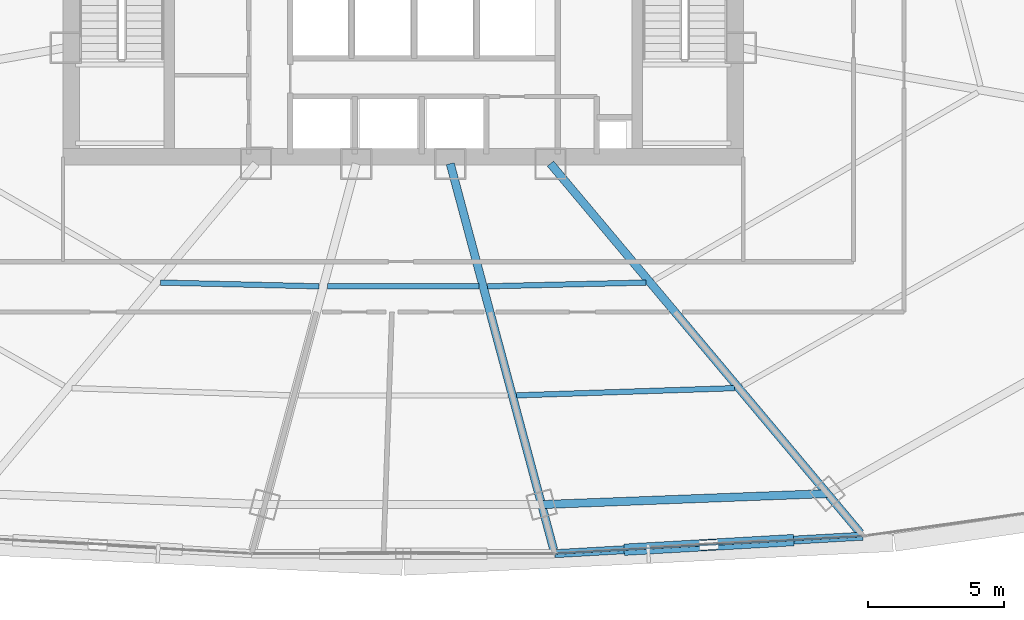
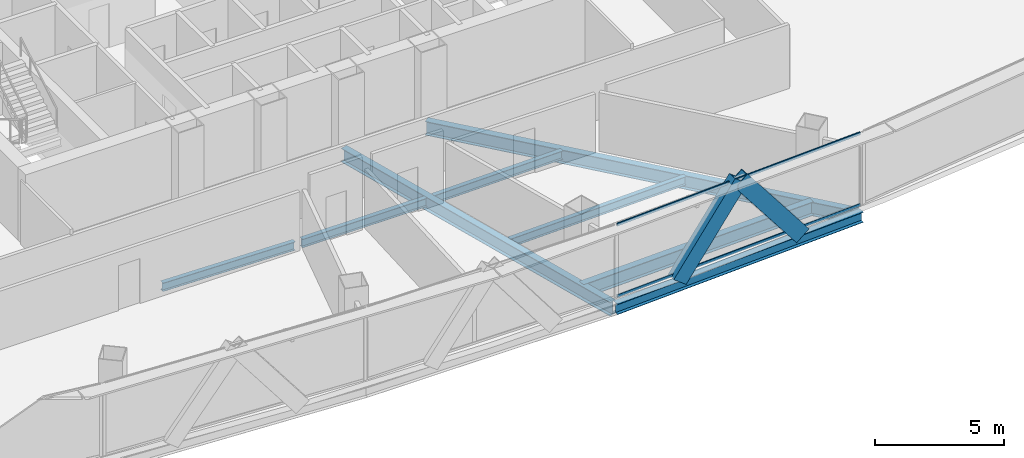
# One storey, part 13 of 42: 8 beams, 4 members, 1 element without a shape of its own.
"""IFC4 building model written with IfcOpenShell, lengths in metres."""

from ifc_helpers import new_model, si_unit, direction, frame, origin, origin_2d, place, context, subcontext, project, spatial, hollow_rectangle, i_section, extrude, source, transform, mapped, material, layer, layer_set, material_profile, profile_set, type_object, element, aggregate, save


model = new_model("IFC4")

# Units and contexts
model_context = context("Model", 3, precision=1e-05, world=origin(), true_north=direction((0.0, 1.0)))
body_context = subcontext(model_context, "Body", "Model", "MODEL_VIEW")
ifc_project = project(units=[si_unit("LENGTHUNIT", "METRE"), si_unit("AREAUNIT", "SQUARE_METRE"), si_unit("VOLUMEUNIT", "CUBIC_METRE"), si_unit("PLANEANGLEUNIT", "RADIAN"), si_unit("MASSUNIT", "GRAM", prefix="KILO"), si_unit("THERMODYNAMICTEMPERATUREUNIT", "KELVIN"), si_unit("POWERUNIT", "WATT")], contexts=[model_context])

# Site, building, storey
site_placement = place(None, origin())
site = spatial("IfcSite", under=ifc_project, at=site_placement, CompositionType="ELEMENT")
building_placement = place(site_placement, origin())
building = spatial("IfcBuilding", under=site, at=building_placement, Name="Yunzhuo Pagoda Commons", CompositionType="ELEMENT")
storey_placement = place(building_placement, frame((0.0, 0.0, 133.510009765625)))
storey = spatial("IfcBuildingStorey", under=building, at=storey_placement, Name="L33", CompositionType="ELEMENT", Elevation=133.510009765625)

# Beams
ifc_material_1 = material(Name="Structural steel Q355B", Category="steel")
ifc_material_profile_1 = material_profile(ifc_material_1, i_section(OverallWidth=0.300048828125, OverallDepth=0.488037109375, WebThickness=0.010986328125, FlangeThickness=0.01806640625, at=origin_2d()), Name="Structural steel Q355B")
ifc_profile_set_1 = profile_set([ifc_material_profile_1], Name="Structural steel Q355B")
beam_type_1 = type_object("IfcBeamType", Name="B-SP1 Beam HM 488x300x11x18", PredefinedType="BEAM", material=ifc_profile_set_1)
shared_shape_1 = source(origin(), body_context, "Body", "SweptSolid", [
    extrude(i_section(OverallWidth=0.300048828125, OverallDepth=0.488037109375, WebThickness=0.010986328125, FlangeThickness=0.01806640625, at=origin_2d()), origin(), (0.0, 0.0, 1.0), 11.34765625),
])
beam_1_placement = place(storey_placement, frame((53.56884765625, 12.917724609375, -0.503662109375), z_axis=(0.998390534012, 0.056712799217, 0.0), x_axis=(-0.056712799217, 0.998390534012, 0.0)))
element("IfcBeam", 1, at=beam_1_placement, inside=storey, type_object=beam_type_1, Name="L33 facade edge spandrel beam F1.3", PredefinedType="BEAM", context=body_context, shape_type="MappedRepresentation", body=[
    mapped(shared_shape_1, transform((0.0, 0.0, 0.0), scale=1.0)),
])
ifc_material_profile_2 = material_profile(ifc_material_1, i_section(OverallWidth=0.300048828125, OverallDepth=0.64990234375, WebThickness=0.012939453125, FlangeThickness=0.02197265625, at=origin_2d()), Name="Structural steel Q355B")
ifc_profile_set_2 = profile_set([ifc_material_profile_2], Name="Structural steel Q355B")
beam_type_2 = type_object("IfcBeamType", Name="B-RG2 Beam HN 650x300x13x22", PredefinedType="BEAM", material=ifc_profile_set_2)
shared_shape_2 = source(origin(), body_context, "Body", "SweptSolid", [
    extrude(i_section(OverallWidth=0.300048828125, OverallDepth=0.64990234375, WebThickness=0.012939453125, FlangeThickness=0.02197265625, at=origin_2d()), origin(), (0.0, 0.0, 1.0), 17.714111328125),
])
beam_2_placement = place(storey_placement, frame((64.798583984375, 13.68017578125, -0.5849609375), z_axis=(-0.6427889385, 0.76604332811, 0.0), x_axis=(-0.76604332811, -0.6427889385, 0.0)))
element("IfcBeam", 2, at=beam_2_placement, inside=storey, type_object=beam_type_2, Name="L33 radial floor girder F1C4", PredefinedType="BEAM", context=body_context, shape_type="MappedRepresentation", body=[
    mapped(shared_shape_2, transform((0.0, 0.0, 0.0), scale=1.0)),
])
shared_shape_3 = source(origin(), body_context, "Body", "SweptSolid", [
    extrude(i_section(OverallWidth=0.300048828125, OverallDepth=0.64990234375, WebThickness=0.012939453125, FlangeThickness=0.02197265625, at=origin_2d()), origin(), (0.0, 0.0, 1.0), 14.68310546875),
])
beam_3_placement = place(storey_placement, frame((53.52880859375, 13.067138671875, -0.5849609375), z_axis=(-0.258819472716, 0.96592571171, 0.0), x_axis=(-0.96592571171, -0.258819472716, 0.0)))
element("IfcBeam", 3, at=beam_3_placement, inside=storey, type_object=beam_type_2, Name="L33 radial floor girder F1C3", PredefinedType="BEAM", context=body_context, shape_type="MappedRepresentation", body=[
    mapped(shared_shape_3, transform((0.0, 0.0, 0.0), scale=1.0)),
])
shared_shape_4 = source(origin(), body_context, "Body", "SweptSolid", [
    extrude(i_section(OverallWidth=0.300048828125, OverallDepth=0.64990234375, WebThickness=0.012939453125, FlangeThickness=0.02197265625, at=origin_2d()), origin(), (0.0, 0.0, 1.0), 10.5078125),
])
beam_4_placement = place(storey_placement, frame((53.085205078125, 14.7216796875, -0.5849609375), z_axis=(0.999258632812, 0.03849915259, 0.0), x_axis=(-0.03849915259, 0.999258632812, 0.0)))
element("IfcBeam", 4, at=beam_4_placement, inside=storey, type_object=beam_type_2, Name="L33 column-ring beam 3", PredefinedType="BEAM", context=body_context, shape_type="MappedRepresentation", body=[
    mapped(shared_shape_4, transform((0.0, 0.0, 0.0), scale=1.0)),
])
ifc_material_profile_3 = material_profile(ifc_material_1, i_section(OverallWidth=0.199951171875, OverallDepth=0.39990234375, WebThickness=0.008056640625, FlangeThickness=0.012939453125, at=origin_2d()), Name="Structural steel Q355B")
ifc_profile_set_3 = profile_set([ifc_material_profile_3], Name="Structural steel Q355B")
beam_type_3 = type_object("IfcBeamType", Name="B-JS1 Joist HN 400x200x8x13", PredefinedType="JOIST", material=ifc_profile_set_3)
shared_shape_5 = source(origin(), body_context, "Body", "SweptSolid", [
    extrude(i_section(OverallWidth=0.199951171875, OverallDepth=0.39990234375, WebThickness=0.008056640625, FlangeThickness=0.012939453125, at=origin_2d()), origin(), (0.0, 0.0, 1.0), 5.821533203125),
])
for number, where, z_axis, x_axis, name in (
    (5, (39.08447265625, 22.881591796875, -0.4599609375), (0.999718239795, -0.023736912649, 0.0), (0.023736912649, 0.999718239795, 0.0), "L33 composite ring joist 1.1"),
    (6, (51.095703125, 22.743408203125, -0.4599609375), (0.999718239795, 0.023736912649, 0.0), (-0.023736912649, 0.999718239795, 0.0), "L33 composite ring joist 1.3"),
):
    element("IfcBeam", number, at=place(storey_placement, frame(where, z_axis=z_axis, x_axis=x_axis)), inside=storey, type_object=beam_type_3, Name=name, PredefinedType="JOIST", context=body_context, shape_type="MappedRepresentation", body=[
        mapped(shared_shape_5, transform((0.0, 0.0, 0.0), scale=1.0)),
    ])
shared_shape_6 = source(origin(), body_context, "Body", "SweptSolid", [
    extrude(i_section(OverallWidth=0.199951171875, OverallDepth=0.39990234375, WebThickness=0.008056640625, FlangeThickness=0.012939453125, at=origin_2d()), origin(), (0.0, 0.0, 1.0), 8.00537109375),
])
beam_5_placement = place(storey_placement, frame((52.169921875, 18.73583984375, -0.4599609375), z_axis=(0.999453403952, 0.033058937199, 0.0), x_axis=(-0.033058937199, 0.999453403952, 0.0)))
element("IfcBeam", 7, at=beam_5_placement, inside=storey, type_object=beam_type_3, Name="L33 composite ring joist 2.3", PredefinedType="JOIST", context=body_context, shape_type="MappedRepresentation", body=[
    mapped(shared_shape_6, transform((0.0, 0.0, 0.0), scale=1.0)),
])
shared_shape_7 = source(origin(), body_context, "Body", "SweptSolid", [
    extrude(i_section(OverallWidth=0.199951171875, OverallDepth=0.39990234375, WebThickness=0.008056640625, FlangeThickness=0.012939453125, at=origin_2d()), origin(), (0.0, 0.0, 1.0), 5.5556640625),
])
beam_6_placement = place(storey_placement, frame((45.22216796875, 22.73974609375, -0.4599609375), z_axis=(1.0, 0.0, 0.0), x_axis=(0.0, 1.0, 0.0)))
element("IfcBeam", 8, at=beam_6_placement, inside=storey, type_object=beam_type_3, Name="L33 composite ring joist 1.2", PredefinedType="JOIST", context=body_context, shape_type="MappedRepresentation", body=[
    mapped(shared_shape_7, transform((0.0, 0.0, 0.0), scale=1.0)),
])

# Members
ifc_material_2 = material(Name="Structural steel Q420B", Category="steel")
ifc_material_profile_4 = material_profile(ifc_material_2, hollow_rectangle(XDim=0.419921875, YDim=0.719970703125, WallThickness=0.028076171875, at=origin_2d()), Name="Structural steel Q420B")
ifc_profile_set_4 = profile_set([ifc_material_profile_4], Name="Structural steel Q420B")
member_type_1 = type_object("IfcMemberType", Name="M-DL1 Brace BOX 720x420x28", PredefinedType="BRACE", material=ifc_profile_set_4)
shared_shape_8 = source(origin(), body_context, "Body", "SweptSolid", [
    extrude(hollow_rectangle(XDim=0.419921875, YDim=0.719970703125, WallThickness=0.028076171875, at=origin_2d()), origin(), (0.0, 0.0, 1.0), 4.646484375),
])
for number, where, z_axis, x_axis, name in (
    (9, (56.401123046875, 13.07861328125, -0.260009765625), (0.609555877841, 0.034626094604, 0.791986531049), (-0.056714017439, 0.998390464811, 0.0), "L33 facade diamond brace F1.3L"),
    (10, (62.06591796875, 13.400390625, -0.260009765625), (-0.609588896709, -0.0346249856, 0.791961165324), (0.056709144864, -0.998390741588, 0.0), "L33 facade diamond brace F1.3R"),
):
    element("IfcMember", number, at=place(storey_placement, frame(where, z_axis=z_axis, x_axis=x_axis)), inside=storey, type_object=member_type_1, Name=name, PredefinedType="BRACE", context=body_context, shape_type="MappedRepresentation", body=[
        mapped(shared_shape_8, transform((0.0, 0.0, 0.0), scale=1.0)),
    ])

# Curtain wall, members
ifc_material_3 = material(Name="Anodized aluminium 6063-T6", Category="aluminium")
ifc_layer = layer(ifc_material_3, 0.14990234375)
ifc_layer_set = layer_set([ifc_layer], Name="Anodized aluminium 6063-T6")
curtain_wall_type = type_object("IfcCurtainWallType", Name="CW-MID Mid-Zone Ribbon Curtain Wall", PredefinedType="NOTDEFINED", material=ifc_layer_set)
curtain_wall_placement = place(storey_placement, origin())
curtain_wall = element("IfcCurtainWall", 11, at=curtain_wall_placement, inside=storey, type_object=curtain_wall_type, Name="L33 curtain wall CW-L33-F1B4", PredefinedType="NOTDEFINED")
ifc_material_profile_5 = material_profile(ifc_material_3, hollow_rectangle(XDim=0.054931640625, YDim=0.1298828125, WallThickness=0.00341796875, at=origin_2d()), Name="Anodized aluminium 6063-T6")
ifc_profile_set_5 = profile_set([ifc_material_profile_5], Name="Anodized aluminium 6063-T6")
member_type_2 = type_object("IfcMemberType", Name="CW-MID-T Transom RHS 130x55x3.5", PredefinedType="USERDEFINED", material=ifc_profile_set_5)
shared_shape_9 = source(origin(), body_context, "Body", "SweptSolid", [
    extrude(hollow_rectangle(XDim=0.054931640625, YDim=0.1298828125, WallThickness=0.00341796875, at=origin_2d()), origin(), (0.0, 0.0, 1.0), 11.227783203125),
])
member_1_placement = place(storey_placement, frame((53.628662109375, 12.9208984375, 0.027587890625), z_axis=(0.998387042838, 0.056774225609, 0.0), x_axis=(-0.056774225609, 0.998387042838, 0.0)))
member_1 = element("IfcMember", 12, at=member_1_placement, type_object=member_type_2, Name="CW transom 1.1", ObjectType="TRANSOM", PredefinedType="USERDEFINED", context=body_context, shape_type="MappedRepresentation", body=[
    mapped(shared_shape_9, transform((0.0, 0.0, 0.0), scale=1.0)),
])
member_2_placement = place(storey_placement, frame((53.628662109375, 12.9208984375, 3.392578125), z_axis=(0.998387042838, 0.056774225609, 0.0), x_axis=(-0.056774225609, 0.998387042838, 0.0)))
member_2 = element("IfcMember", 13, at=member_2_placement, type_object=member_type_2, Name="CW transom 1.2", ObjectType="TRANSOM", PredefinedType="USERDEFINED", context=body_context, shape_type="MappedRepresentation", body=[
    mapped(shared_shape_9, transform((0.0, 0.0, 0.0), scale=1.0)),
])
aggregate(curtain_wall, [member_1, member_2])

save(model, "model.ifc")
